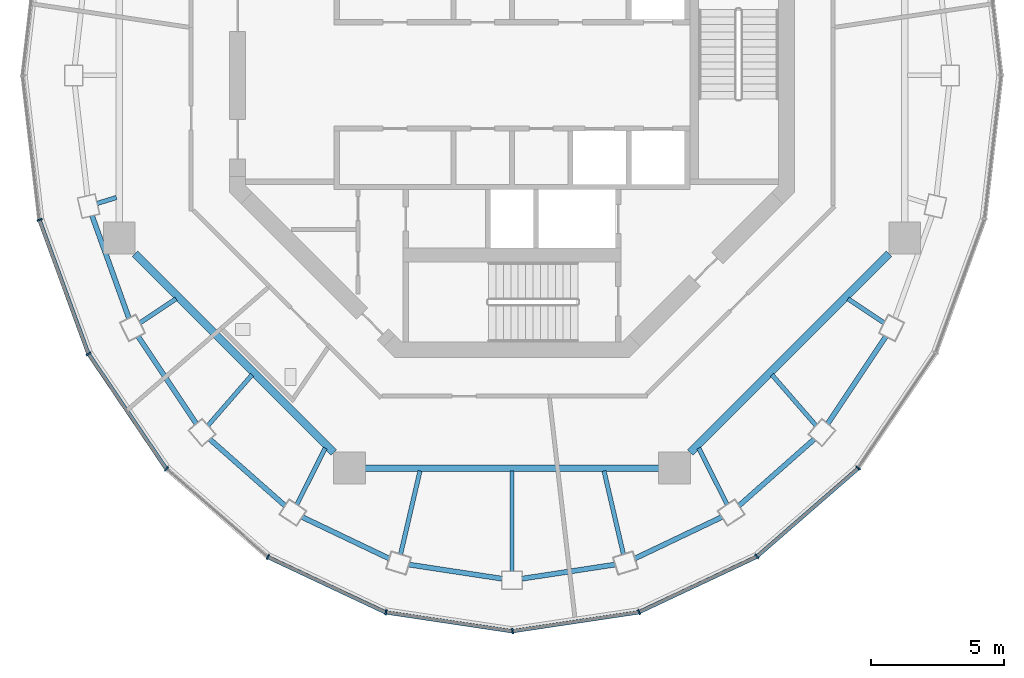
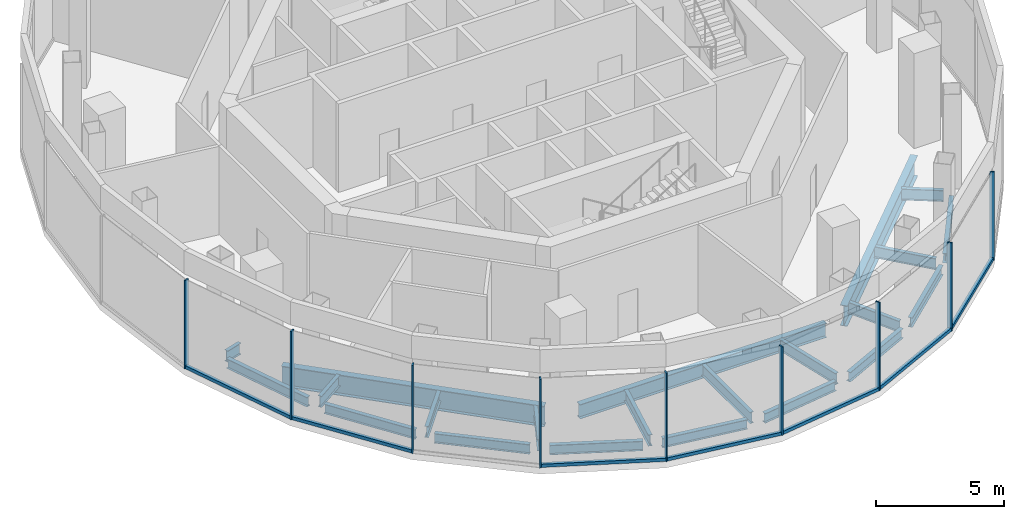
# One storey, part 2 of 11: 22 beams, 16 members, 9 elements without a shape of their own.
"""IFC4 building model written with IfcOpenShell, lengths in metres."""

from ifc_helpers import new_model, si_unit, direction, frame, origin, origin_2d, place, context, subcontext, project, spatial, rectangle, i_section, extrude, material, layer, layer_set, material_profile, profile_set, type_object, element, aggregate, save


model = new_model("IFC4")

# Units and contexts
model_context = context("Model", 3, precision=1e-05, world=origin(), true_north=direction((0.0, 1.0)))
body_context = subcontext(model_context, "Body", "Model", "MODEL_VIEW")
ifc_project = project(units=[si_unit("LENGTHUNIT", "METRE"), si_unit("AREAUNIT", "SQUARE_METRE"), si_unit("VOLUMEUNIT", "CUBIC_METRE"), si_unit("PLANEANGLEUNIT", "RADIAN"), si_unit("MASSUNIT", "GRAM", prefix="KILO")], contexts=[model_context])

# Site, building, storey
site_placement = place(None, origin())
site = spatial("IfcSite", under=ifc_project, at=site_placement, CompositionType="ELEMENT")
building_placement = place(site_placement, origin())
building = spatial("IfcBuilding", under=site, at=building_placement, Name="Nagisa Residences", CompositionType="ELEMENT")
storey_placement = place(building_placement, frame((0.0, 0.0, 320.39990234375)))
storey = spatial("IfcBuildingStorey", under=building, at=storey_placement, Name="L79", CompositionType="ELEMENT", Elevation=320.39990234375)

# Curtain wall, member
ifc_material_1 = material(Name="Aluminium curtain wall system", Category="aluminium")
ifc_layer = layer(ifc_material_1, 0.159912109375)
ifc_layer_set = layer_set([ifc_layer], Name="CW4 CURTAIN WALL")
curtain_wall_type = type_object("IfcCurtainWallType", Name="CW4 CURTAIN WALL", PredefinedType="NOTDEFINED", material=ifc_layer_set)
curtain_wall_1_placement = place(storey_placement, origin())
curtain_wall_1 = element("IfcCurtainWall", 1, at=curtain_wall_1_placement, inside=storey, type_object=curtain_wall_type, Name="cw:CW4:L79:13", PredefinedType="NOTDEFINED")
ifc_material_2 = material(Name="Aluminium", Category="aluminium")
ifc_material_profile_1 = material_profile(ifc_material_2, rectangle(XDim=0.199951171875, YDim=0.06005859375, at=origin_2d()), Name="CW4 MULLION 200x60")
ifc_profile_set_1 = profile_set([ifc_material_profile_1], Name="Aluminium")
member_type_1 = type_object("IfcMemberType", Name="CW4 MULLION 200x60", PredefinedType="MULLION", material=ifc_profile_set_1)
member_1_placement = place(storey_placement, frame((-17.7841796875, -5.43603515625, 0.0), z_axis=(0.0, 0.0, 1.0), x_axis=(0.939410855128, 0.342793298167, 0.0)))
member_1 = element("IfcMember", 2, at=member_1_placement, type_object=member_type_1, Name="CW4 mullion", PredefinedType="MULLION", context=body_context, shape_type="SweptSolid", body=[
    extrude(rectangle(XDim=0.199951171875, YDim=0.06005859375, at=origin_2d()), origin(), (0.0, 0.0, 1.0), 4.2001953125),
])

curtain_wall_2_placement = place(storey_placement, origin())
curtain_wall_2 = element("IfcCurtainWall", 3, at=curtain_wall_2_placement, inside=storey, type_object=curtain_wall_type, Name="cw:CW4:L79:14", PredefinedType="NOTDEFINED")
member_2_placement = place(storey_placement, frame((-15.9384765625, -10.47998046875, 0.0), z_axis=(0.0, 0.0, 1.0), x_axis=(0.828472554652, 0.560029665453, 0.0)))
member_2 = element("IfcMember", 4, at=member_2_placement, type_object=member_type_1, Name="CW4 mullion", PredefinedType="MULLION", context=body_context, shape_type="SweptSolid", body=[
    extrude(rectangle(XDim=0.199951171875, YDim=0.06005859375, at=origin_2d()), origin(), (0.0, 0.0, 1.0), 4.2001953125),
])

curtain_wall_3_placement = place(storey_placement, origin())
curtain_wall_3 = element("IfcCurtainWall", 5, at=curtain_wall_3_placement, inside=storey, type_object=curtain_wall_type, Name="cw:CW4:L79:15", PredefinedType="NOTDEFINED")
member_3_placement = place(storey_placement, frame((-13.00634765625, -14.80859375, 0.0), z_axis=(0.0, 0.0, 1.0), x_axis=(0.656803076821, 0.754062144839, 0.0)))
member_3 = element("IfcMember", 6, at=member_3_placement, type_object=member_type_1, Name="CW4 mullion", PredefinedType="MULLION", context=body_context, shape_type="SweptSolid", body=[
    extrude(rectangle(XDim=0.199951171875, YDim=0.06005859375, at=origin_2d()), origin(), (0.0, 0.0, 1.0), 4.2001953125),
])
aggregate(curtain_wall_3, [member_3])

curtain_wall_4_placement = place(storey_placement, origin())
curtain_wall_4 = element("IfcCurtainWall", 7, at=curtain_wall_4_placement, inside=storey, type_object=curtain_wall_type, Name="cw:CW4:L79:16", PredefinedType="NOTDEFINED")
member_4_placement = place(storey_placement, frame((-9.188720703125, -18.126953125, 0.0), z_axis=(0.0, 0.0, 1.0), x_axis=(0.425500757356, 0.90495806836, 0.0)))
member_4 = element("IfcMember", 8, at=member_4_placement, type_object=member_type_1, Name="CW4 mullion", PredefinedType="MULLION", context=body_context, shape_type="SweptSolid", body=[
    extrude(rectangle(XDim=0.199951171875, YDim=0.06005859375, at=origin_2d()), origin(), (0.0, 0.0, 1.0), 4.2001953125),
])

curtain_wall_5_placement = place(storey_placement, origin())
curtain_wall_5 = element("IfcCurtainWall", 9, at=curtain_wall_5_placement, inside=storey, type_object=curtain_wall_type, Name="cw:CW4:L79:17", PredefinedType="NOTDEFINED")
member_5_placement = place(storey_placement, frame((-4.74658203125, -20.209716796875, 0.0), z_axis=(0.0, 0.0, 1.0), x_axis=(0.147802033939, 0.989016965862, 0.0)))
member_5 = element("IfcMember", 10, at=member_5_placement, type_object=member_type_1, Name="CW4 mullion", PredefinedType="MULLION", context=body_context, shape_type="SweptSolid", body=[
    extrude(rectangle(XDim=0.199951171875, YDim=0.06005859375, at=origin_2d()), origin(), (0.0, 0.0, 1.0), 4.2001953125),
])

curtain_wall_6_placement = place(storey_placement, origin())
curtain_wall_6 = element("IfcCurtainWall", 11, at=curtain_wall_6_placement, inside=storey, type_object=curtain_wall_type, Name="cw:CW4:L79:18", PredefinedType="NOTDEFINED")
member_6_placement = place(storey_placement, frame((0.017822265625, -20.91650390625, 0.0), z_axis=(0.0, 0.0, 1.0), x_axis=(-0.147802033939, 0.989016965862, 0.0)))
member_6 = element("IfcMember", 12, at=member_6_placement, type_object=member_type_1, Name="CW4 mullion", PredefinedType="MULLION", context=body_context, shape_type="SweptSolid", body=[
    extrude(rectangle(XDim=0.199951171875, YDim=0.06005859375, at=origin_2d()), origin(), (0.0, 0.0, 1.0), 4.2001953125),
])

curtain_wall_7_placement = place(storey_placement, origin())
curtain_wall_7 = element("IfcCurtainWall", 13, at=curtain_wall_7_placement, inside=storey, type_object=curtain_wall_type, Name="cw:CW4:L79:19", PredefinedType="NOTDEFINED")
member_7_placement = place(storey_placement, frame((4.78125, -20.19921875, 0.0), z_axis=(0.0, 0.0, 1.0), x_axis=(-0.425500757356, 0.90495806836, 0.0)))
member_7 = element("IfcMember", 14, at=member_7_placement, type_object=member_type_1, Name="CW4 mullion", PredefinedType="MULLION", context=body_context, shape_type="SweptSolid", body=[
    extrude(rectangle(XDim=0.199951171875, YDim=0.06005859375, at=origin_2d()), origin(), (0.0, 0.0, 1.0), 4.2001953125),
])

curtain_wall_8_placement = place(storey_placement, origin())
curtain_wall_8 = element("IfcCurtainWall", 15, at=curtain_wall_8_placement, inside=storey, type_object=curtain_wall_type, Name="cw:CW4:L79:20", PredefinedType="NOTDEFINED")
member_8_placement = place(storey_placement, frame((9.219970703125, -18.1064453125, 0.0), z_axis=(0.0, 0.0, 1.0), x_axis=(-0.656803076821, 0.754062144839, 0.0)))
member_8 = element("IfcMember", 16, at=member_8_placement, type_object=member_type_1, Name="CW4 mullion", PredefinedType="MULLION", context=body_context, shape_type="SweptSolid", body=[
    extrude(rectangle(XDim=0.199951171875, YDim=0.06005859375, at=origin_2d()), origin(), (0.0, 0.0, 1.0), 4.2001953125),
])

curtain_wall_9_placement = place(storey_placement, origin())
curtain_wall_9 = element("IfcCurtainWall", 17, at=curtain_wall_9_placement, inside=storey, type_object=curtain_wall_type, Name="cw:CW4:L79:21", PredefinedType="NOTDEFINED")
member_9_placement = place(storey_placement, frame((13.031982421875, -14.779541015625, 0.0), z_axis=(0.0, 0.0, 1.0), x_axis=(-0.828472554652, 0.560029665453, 0.0)))
member_9 = element("IfcMember", 18, at=member_9_placement, type_object=member_type_1, Name="CW4 mullion", PredefinedType="MULLION", context=body_context, shape_type="SweptSolid", body=[
    extrude(rectangle(XDim=0.199951171875, YDim=0.06005859375, at=origin_2d()), origin(), (0.0, 0.0, 1.0), 4.2001953125),
])
aggregate(curtain_wall_9, [member_9])

# Member
ifc_material_3 = material(Name="Aluminium", Category="aluminium")
ifc_material_profile_2 = material_profile(ifc_material_3, rectangle(XDim=0.139892578125, YDim=0.14990234375, at=origin_2d()), Name="CW4 TRANSOM 140x150")
ifc_profile_set_2 = profile_set([ifc_material_profile_2], Name="Aluminium")
member_type_2 = type_object("IfcMemberType", Name="CW4 TRANSOM 140x150", PredefinedType="USERDEFINED", material=ifc_profile_set_2)
member_10_placement = place(storey_placement, frame((-17.79443359375, -5.40771484375, 0.0751953125), z_axis=(0.34278268103, -0.939414729279, 0.0), x_axis=(0.939414729279, 0.34278268103, 0.0)))
member_10 = element("IfcMember", 19, at=member_10_placement, type_object=member_type_2, Name="CW4 transom", ObjectType="TRANSOM", PredefinedType="USERDEFINED", context=body_context, shape_type="SweptSolid", body=[
    extrude(rectangle(XDim=0.139892578125, YDim=0.14990234375, at=origin_2d()), origin(), (0.0, 0.0, 1.0), 5.3916015625),
])

aggregate(curtain_wall_1, [member_1, member_10])

member_11_placement = place(storey_placement, frame((-15.955078125, -10.455078125, 0.0751953125), z_axis=(0.560011865881, -0.828484586503, 0.0), x_axis=(0.828484586503, 0.560011865881, 0.0)))
member_11 = element("IfcMember", 20, at=member_11_placement, type_object=member_type_2, Name="CW4 transom", ObjectType="TRANSOM", PredefinedType="USERDEFINED", context=body_context, shape_type="SweptSolid", body=[
    extrude(rectangle(XDim=0.139892578125, YDim=0.14990234375, at=origin_2d()), origin(), (0.0, 0.0, 1.0), 5.249755859375),
])

aggregate(curtain_wall_2, [member_2, member_11])

member_12_placement = place(storey_placement, frame((-9.216064453125, -18.1142578125, 0.0751953125), z_axis=(0.904961168887, -0.425494163069, 0.0), x_axis=(0.425494163069, 0.904961168887, 0.0)))
member_12 = element("IfcMember", 21, at=member_12_placement, type_object=member_type_2, Name="CW4 transom", ObjectType="TRANSOM", PredefinedType="USERDEFINED", context=body_context, shape_type="SweptSolid", body=[
    extrude(rectangle(XDim=0.139892578125, YDim=0.14990234375, at=origin_2d()), origin(), (0.0, 0.0, 1.0), 4.930419921875),
])

aggregate(curtain_wall_4, [member_4, member_12])

member_13_placement = place(storey_placement, frame((-4.7763671875, -20.205322265625, 0.0751953125), z_axis=(0.989016106921, -0.147807781429, 0.0), x_axis=(0.147807781429, 0.989016106921, 0.0)))
member_13 = element("IfcMember", 22, at=member_13_placement, type_object=member_type_2, Name="CW4 transom", ObjectType="TRANSOM", PredefinedType="USERDEFINED", context=body_context, shape_type="SweptSolid", body=[
    extrude(rectangle(XDim=0.139892578125, YDim=0.14990234375, at=origin_2d()), origin(), (0.0, 0.0, 1.0), 4.84130859375),
])

aggregate(curtain_wall_5, [member_5, member_13])

member_14_placement = place(storey_placement, frame((-0.01171875, -20.9208984375, 0.0751953125), z_axis=(0.989016106921, 0.147807781429, 0.0), x_axis=(-0.147807781429, 0.989016106921, 0.0)))
member_14 = element("IfcMember", 23, at=member_14_placement, type_object=member_type_2, Name="CW4 transom", ObjectType="TRANSOM", PredefinedType="USERDEFINED", context=body_context, shape_type="SweptSolid", body=[
    extrude(rectangle(XDim=0.139892578125, YDim=0.14990234375, at=origin_2d()), origin(), (0.0, 0.0, 1.0), 4.84130859375),
])

aggregate(curtain_wall_6, [member_6, member_14])

member_15_placement = place(storey_placement, frame((4.754150390625, -20.212158203125, 0.0751953125), z_axis=(0.904961168887, 0.425494163069, 0.0), x_axis=(-0.425494163069, 0.904961168887, 0.0)))
member_15 = element("IfcMember", 24, at=member_15_placement, type_object=member_type_2, Name="CW4 transom", ObjectType="TRANSOM", PredefinedType="USERDEFINED", context=body_context, shape_type="SweptSolid", body=[
    extrude(rectangle(XDim=0.139892578125, YDim=0.14990234375, at=origin_2d()), origin(), (0.0, 0.0, 1.0), 4.930419921875),
])

aggregate(curtain_wall_7, [member_7, member_15])

member_16_placement = place(storey_placement, frame((9.197509765625, -18.126220703125, 0.0751953125), z_axis=(0.754057031444, 0.656808947358, 0.0), x_axis=(-0.656808947358, 0.754057031444, 0.0)))
member_16 = element("IfcMember", 25, at=member_16_placement, type_object=member_type_2, Name="CW4 transom", ObjectType="TRANSOM", PredefinedType="USERDEFINED", context=body_context, shape_type="SweptSolid", body=[
    extrude(rectangle(XDim=0.139892578125, YDim=0.14990234375, at=origin_2d()), origin(), (0.0, 0.0, 1.0), 5.081298828125),
])

aggregate(curtain_wall_8, [member_8, member_16])

# Beams
ifc_material_4 = material(Name="Steel ASTM A572 Gr 50", Category="steel")
ifc_material_profile_3 = material_profile(ifc_material_4, i_section(OverallWidth=0.300048828125, OverallDepth=0.97998046875, WebThickness=0.0166015625, FlangeThickness=0.02587890625, at=origin_2d()), Name="W1000x249")
ifc_profile_set_3 = profile_set([ifc_material_profile_3], Name="Steel ASTM A572 Gr 50")
beam_type_1 = type_object("IfcBeamType", Name="Inner ring beam W1000x249", PredefinedType="BEAM", material=ifc_profile_set_3)
for number, where, z_axis, x_axis, name in (
    (26, (-14.1962890625, -6.708740234375, -0.789794921875), (0.707106781187, -0.707106781187, 0.0), (0.707106781187, 0.707106781187, 0.0), "beam:L79:ib5"),
    (27, (6.708740234375, -14.1962890625, -0.789794921875), (0.707106781187, 0.707106781187, 0.0), (-0.707106781187, 0.707106781187, 0.0), "beam:L79:ib7"),
):
    element("IfcBeam", number, at=place(storey_placement, frame(where, z_axis=z_axis, x_axis=x_axis)), inside=storey, type_object=beam_type_1, Name=name, PredefinedType="BEAM", context=body_context, shape_type="SweptSolid", body=[
        extrude(i_section(OverallWidth=0.300048828125, OverallDepth=0.97998046875, WebThickness=0.0166015625, FlangeThickness=0.02587890625, at=origin_2d()), origin(), (0.0, 0.0, 1.0), 10.589111328125),
    ])
ifc_material_5 = material(Name="Steel ASTM A572 Gr 50", Category="steel")
ifc_material_profile_4 = material_profile(ifc_material_5, i_section(OverallWidth=0.2529296875, OverallDepth=0.677978515625, WebThickness=0.01171875, FlangeThickness=0.016357421875, at=origin_2d()), Name="W690x125")
ifc_profile_set_4 = profile_set([ifc_material_profile_4], Name="Steel ASTM A572 Gr 50")
beam_type_2 = type_object("IfcBeamType", Name="Inner ring beam W690x125", PredefinedType="BEAM", material=ifc_profile_set_4)
beam_1_placement = place(storey_placement, frame((-5.54296875, -14.781982421875, -0.638916015625), z_axis=(1.0, 0.0, 0.0), x_axis=(0.0, 1.0, 0.0)))
element("IfcBeam", 28, at=beam_1_placement, inside=storey, type_object=beam_type_2, Name="beam:L79:ib6", PredefinedType="BEAM", context=body_context, shape_type="SweptSolid", body=[
    extrude(i_section(OverallWidth=0.2529296875, OverallDepth=0.677978515625, WebThickness=0.01171875, FlangeThickness=0.016357421875, at=origin_2d()), origin(), (0.0, 0.0, 1.0), 11.0859375),
])
ifc_material_6 = material(Name="Steel ASTM A572 Gr 50", Category="steel")
ifc_material_profile_5 = material_profile(ifc_material_6, i_section(OverallWidth=0.18994140625, OverallDepth=0.45703125, WebThickness=0.009033203125, FlangeThickness=0.014404296875, at=origin_2d()), Name="W460x74")
ifc_profile_set_5 = profile_set([ifc_material_profile_5], Name="Steel ASTM A572 Gr 50")
beam_type_3 = type_object("IfcBeamType", Name="Perimeter ring beam W460x74", PredefinedType="BEAM", material=ifc_profile_set_5)
beam_2_placement = place(storey_placement, frame((-15.808349609375, -5.277587890625, -0.5283203125), z_axis=(0.338517252251, -0.940960185092, 0.0), x_axis=(0.940960185092, 0.338517252251, 0.0)))
element("IfcBeam", 29, at=beam_2_placement, inside=storey, type_object=beam_type_3, Name="beam:L79:pb14", PredefinedType="BEAM", context=body_context, shape_type="SweptSolid", body=[
    extrude(i_section(OverallWidth=0.18994140625, OverallDepth=0.45703125, WebThickness=0.009033203125, FlangeThickness=0.014404296875, at=origin_2d()), origin(), (0.0, 0.0, 1.0), 4.1044921875),
])
beam_3_placement = place(storey_placement, frame((-14.0771484375, -9.818603515625, -0.5283203125), z_axis=(0.554529560082, -0.832164026497, 0.0), x_axis=(0.832164026497, 0.554529560082, 0.0)))
element("IfcBeam", 30, at=beam_3_placement, inside=storey, type_object=beam_type_3, Name="beam:L79:pb15", PredefinedType="BEAM", context=body_context, shape_type="SweptSolid", body=[
    extrude(i_section(OverallWidth=0.18994140625, OverallDepth=0.45703125, WebThickness=0.009033203125, FlangeThickness=0.014404296875, at=origin_2d()), origin(), (0.0, 0.0, 1.0), 3.96240234375),
])
beam_4_placement = place(storey_placement, frame((-11.3798828125, -13.68896484375, -0.5283203125), z_axis=(0.749401876552, -0.662115418503, 0.0), x_axis=(0.662115418503, 0.749401876552, 0.0)))
element("IfcBeam", 31, at=beam_4_placement, inside=storey, type_object=beam_type_3, Name="beam:L79:pb16", PredefinedType="BEAM", context=body_context, shape_type="SweptSolid", body=[
    extrude(i_section(OverallWidth=0.18994140625, OverallDepth=0.45703125, WebThickness=0.009033203125, FlangeThickness=0.014404296875, at=origin_2d()), origin(), (0.0, 0.0, 1.0), 3.792724609375),
])
beam_5_placement = place(storey_placement, frame((-7.903564453125, -16.619873046875, -0.5283203125), z_axis=(0.902613702305, -0.430451512266, 0.0), x_axis=(0.430451512266, 0.902613702305, 0.0)))
element("IfcBeam", 32, at=beam_5_placement, inside=storey, type_object=beam_type_3, Name="beam:L79:pb17", PredefinedType="BEAM", context=body_context, shape_type="SweptSolid", body=[
    extrude(i_section(OverallWidth=0.18994140625, OverallDepth=0.45703125, WebThickness=0.009033203125, FlangeThickness=0.014404296875, at=origin_2d()), origin(), (0.0, 0.0, 1.0), 3.640625),
])
for number, where, z_axis, x_axis, name in (
    (33, (-3.890380859375, -18.41015625, -0.5283203125), (0.988700067025, -0.149907229525, 0.0), (0.149907229525, 0.988700067025, 0.0), "beam:L79:pb18"),
    (34, (0.380126953125, -18.9423828125, -0.5283203125), (0.988700067025, 0.149907229525, 0.0), (-0.149907229525, 0.988700067025, 0.0), "beam:L79:pb19"),
):
    element("IfcBeam", number, at=place(storey_placement, frame(where, z_axis=z_axis, x_axis=x_axis)), inside=storey, type_object=beam_type_3, Name=name, PredefinedType="BEAM", context=body_context, shape_type="SweptSolid", body=[
        extrude(i_section(OverallWidth=0.18994140625, OverallDepth=0.45703125, WebThickness=0.009033203125, FlangeThickness=0.014404296875, at=origin_2d()), origin(), (0.0, 0.0, 1.0), 3.55029296875),
    ])
beam_6_placement = place(storey_placement, frame((4.617431640625, -18.18701171875, -0.5283203125), z_axis=(0.902613702305, 0.430451512266, 0.0), x_axis=(-0.430451512266, 0.902613702305, 0.0)))
element("IfcBeam", 35, at=beam_6_placement, inside=storey, type_object=beam_type_3, Name="beam:L79:pb20", PredefinedType="BEAM", context=body_context, shape_type="SweptSolid", body=[
    extrude(i_section(OverallWidth=0.18994140625, OverallDepth=0.45703125, WebThickness=0.009033203125, FlangeThickness=0.014404296875, at=origin_2d()), origin(), (0.0, 0.0, 1.0), 3.640625),
])
beam_7_placement = place(storey_placement, frame((8.53759765625, -16.2001953125, -0.5283203125), z_axis=(0.749401876552, 0.662115418503, 0.0), x_axis=(-0.662115418503, 0.749401876552, 0.0)))
element("IfcBeam", 36, at=beam_7_placement, inside=storey, type_object=beam_type_3, Name="beam:L79:pb21", PredefinedType="BEAM", context=body_context, shape_type="SweptSolid", body=[
    extrude(i_section(OverallWidth=0.18994140625, OverallDepth=0.45703125, WebThickness=0.009033203125, FlangeThickness=0.014404296875, at=origin_2d()), origin(), (0.0, 0.0, 1.0), 3.792724609375),
])
beam_8_placement = place(storey_placement, frame((11.8798828125, -13.115966796875, -0.5283203125), z_axis=(0.554529560082, 0.832164026497, 0.0), x_axis=(-0.832164026497, 0.554529560082, 0.0)))
element("IfcBeam", 37, at=beam_8_placement, inside=storey, type_object=beam_type_3, Name="beam:L79:pb22", PredefinedType="BEAM", context=body_context, shape_type="SweptSolid", body=[
    extrude(i_section(OverallWidth=0.18994140625, OverallDepth=0.45703125, WebThickness=0.009033203125, FlangeThickness=0.014404296875, at=origin_2d()), origin(), (0.0, 0.0, 1.0), 3.96240234375),
])
ifc_material_7 = material(Name="Steel ASTM A572 Gr 50", Category="steel")
ifc_material_profile_6 = material_profile(ifc_material_7, i_section(OverallWidth=0.166015625, OverallDepth=0.534912109375, WebThickness=0.01025390625, FlangeThickness=0.0166015625, at=origin_2d()), Name="W530x85")
ifc_profile_set_6 = profile_set([ifc_material_profile_6], Name="Steel ASTM A572 Gr 50")
beam_type_4 = type_object("IfcBeamType", Name="Radial beam W530x85", PredefinedType="BEAM", material=ifc_profile_set_6)
beam_9_placement = place(storey_placement, frame((-15.62158203125, -4.820068359375, -0.5673828125), z_axis=(0.955489220567, 0.295026014753, 0.0), x_axis=(-0.295026014753, 0.955489220567, 0.0)))
element("IfcBeam", 38, at=beam_9_placement, inside=storey, type_object=beam_type_4, Name="beam:L79:rb14", PredefinedType="BEAM", context=body_context, shape_type="SweptSolid", body=[
    extrude(i_section(OverallWidth=0.166015625, OverallDepth=0.534912109375, WebThickness=0.01025390625, FlangeThickness=0.0166015625, at=origin_2d()), origin(), (0.0, 0.0, 1.0), 0.766357421875),
])
beam_10_placement = place(storey_placement, frame((-14.012451171875, -9.31591796875, -0.5673828125), z_axis=(0.832714310154, 0.553702878505, 0.0), x_axis=(-0.553702878505, 0.832714310154, 0.0)))
element("IfcBeam", 39, at=beam_10_placement, inside=storey, type_object=beam_type_4, Name="beam:L79:rb15", PredefinedType="BEAM", context=body_context, shape_type="SweptSolid", body=[
    extrude(i_section(OverallWidth=0.166015625, OverallDepth=0.534912109375, WebThickness=0.01025390625, FlangeThickness=0.0166015625, at=origin_2d()), origin(), (0.0, 0.0, 1.0), 1.638916015625),
])
beam_11_placement = place(storey_placement, frame((-11.44873046875, -13.183349609375, -0.5673828125), z_axis=(0.655718438616, 0.755005516045, 0.0), x_axis=(-0.755005516045, 0.655718438616, 0.0)))
element("IfcBeam", 40, at=beam_11_placement, inside=storey, type_object=beam_type_4, Name="beam:L79:rb16", PredefinedType="BEAM", context=body_context, shape_type="SweptSolid", body=[
    extrude(i_section(OverallWidth=0.166015625, OverallDepth=0.534912109375, WebThickness=0.01025390625, FlangeThickness=0.0166015625, at=origin_2d()), origin(), (0.0, 0.0, 1.0), 2.53515625),
])
beam_12_placement = place(storey_placement, frame((-8.10107421875, -16.1572265625, -0.5673828125), z_axis=(0.448236908276, 0.893914802461, 0.0), x_axis=(-0.893914802461, 0.448236908276, 0.0)))
element("IfcBeam", 41, at=beam_12_placement, inside=storey, type_object=beam_type_4, Name="beam:L79:rb17", PredefinedType="BEAM", context=body_context, shape_type="SweptSolid", body=[
    extrude(i_section(OverallWidth=0.166015625, OverallDepth=0.534912109375, WebThickness=0.01025390625, FlangeThickness=0.0166015625, at=origin_2d()), origin(), (0.0, 0.0, 1.0), 2.385009765625),
])
beam_13_placement = place(storey_placement, frame((-4.195556640625, -18.0302734375, -0.5673828125), z_axis=(0.226650446588, 0.973976167604, 0.0), x_axis=(-0.973976167604, 0.226650446588, 0.0)))
element("IfcBeam", 42, at=beam_13_placement, inside=storey, type_object=beam_type_4, Name="beam:L79:rb18", PredefinedType="BEAM", context=body_context, shape_type="SweptSolid", body=[
    extrude(i_section(OverallWidth=0.166015625, OverallDepth=0.534912109375, WebThickness=0.01025390625, FlangeThickness=0.0166015625, at=origin_2d()), origin(), (0.0, 0.0, 1.0), 3.22509765625),
])
beam_14_placement = place(storey_placement, frame((0.0, -18.669921875, -0.5673828125), z_axis=(0.0, 1.0, 0.0), x_axis=(-1.0, 0.0, 0.0)))
element("IfcBeam", 43, at=beam_14_placement, inside=storey, type_object=beam_type_4, Name="beam:L79:rb19", PredefinedType="BEAM", context=body_context, shape_type="SweptSolid", body=[
    extrude(i_section(OverallWidth=0.166015625, OverallDepth=0.534912109375, WebThickness=0.01025390625, FlangeThickness=0.0166015625, at=origin_2d()), origin(), (0.0, 0.0, 1.0), 3.78125),
])
beam_15_placement = place(storey_placement, frame((4.195556640625, -18.0302734375, -0.5673828125), z_axis=(-0.226650446588, 0.973976167604, 0.0), x_axis=(-0.973976167604, -0.226650446588, 0.0)))
element("IfcBeam", 44, at=beam_15_placement, inside=storey, type_object=beam_type_4, Name="beam:L79:rb20", PredefinedType="BEAM", context=body_context, shape_type="SweptSolid", body=[
    extrude(i_section(OverallWidth=0.166015625, OverallDepth=0.534912109375, WebThickness=0.01025390625, FlangeThickness=0.0166015625, at=origin_2d()), origin(), (0.0, 0.0, 1.0), 3.22509765625),
])
beam_16_placement = place(storey_placement, frame((8.10107421875, -16.1572265625, -0.5673828125), z_axis=(-0.448236908276, 0.893914802461, 0.0), x_axis=(-0.893914802461, -0.448236908276, 0.0)))
element("IfcBeam", 45, at=beam_16_placement, inside=storey, type_object=beam_type_4, Name="beam:L79:rb21", PredefinedType="BEAM", context=body_context, shape_type="SweptSolid", body=[
    extrude(i_section(OverallWidth=0.166015625, OverallDepth=0.534912109375, WebThickness=0.01025390625, FlangeThickness=0.0166015625, at=origin_2d()), origin(), (0.0, 0.0, 1.0), 2.385009765625),
])
beam_17_placement = place(storey_placement, frame((11.44873046875, -13.183349609375, -0.5673828125), z_axis=(-0.655718438616, 0.755005516045, 0.0), x_axis=(-0.755005516045, -0.655718438616, 0.0)))
element("IfcBeam", 46, at=beam_17_placement, inside=storey, type_object=beam_type_4, Name="beam:L79:rb22", PredefinedType="BEAM", context=body_context, shape_type="SweptSolid", body=[
    extrude(i_section(OverallWidth=0.166015625, OverallDepth=0.534912109375, WebThickness=0.01025390625, FlangeThickness=0.0166015625, at=origin_2d()), origin(), (0.0, 0.0, 1.0), 2.53515625),
])
beam_18_placement = place(storey_placement, frame((14.012451171875, -9.31591796875, -0.5673828125), z_axis=(-0.832714310154, 0.553702878505, 0.0), x_axis=(-0.553702878505, -0.832714310154, 0.0)))
element("IfcBeam", 47, at=beam_18_placement, inside=storey, type_object=beam_type_4, Name="beam:L79:rb23", PredefinedType="BEAM", context=body_context, shape_type="SweptSolid", body=[
    extrude(i_section(OverallWidth=0.166015625, OverallDepth=0.534912109375, WebThickness=0.01025390625, FlangeThickness=0.0166015625, at=origin_2d()), origin(), (0.0, 0.0, 1.0), 1.638916015625),
])

save(model, "model.ifc")
